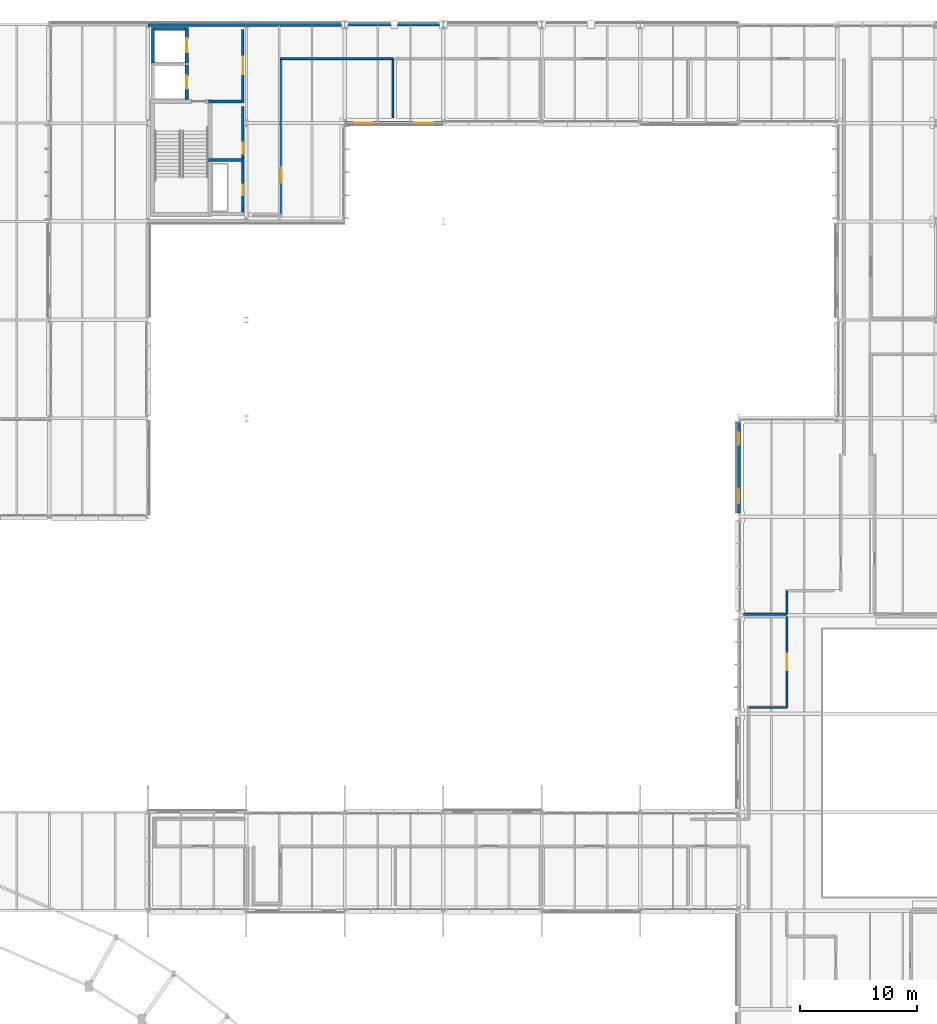
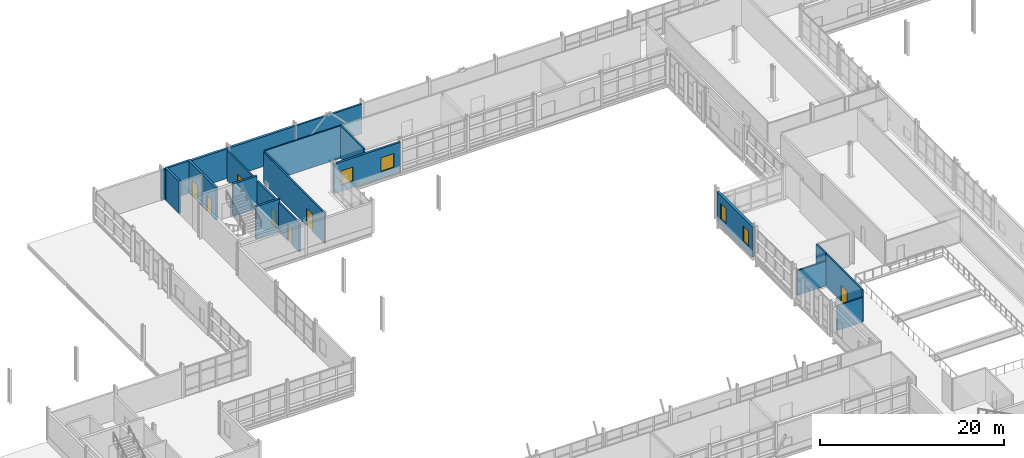
# One storey, part 98 of 129: 21 walls, 7 doors, 4 windows, 11 openings.
"""IFC4 building model written with IfcOpenShell, lengths in metres."""

from ifc_helpers import new_model, si_unit, direction, frame, frame_2d, origin, place, context, subcontext, project, spatial, rectangle, extrude, material, layer, layer_set, type_object, element, fill, save


model = new_model("IFC4")

# Units and contexts
model_context = context("Model", 3, precision=1e-05, world=origin(), true_north=direction((0.0, 1.0)))
body_context = subcontext(model_context, "Body", "Model", "MODEL_VIEW")
ifc_project = project(units=[si_unit("LENGTHUNIT", "METRE"), si_unit("AREAUNIT", "SQUARE_METRE"), si_unit("VOLUMEUNIT", "CUBIC_METRE"), si_unit("PLANEANGLEUNIT", "RADIAN"), si_unit("MASSUNIT", "GRAM", prefix="KILO")], contexts=[model_context])

# Site, building, storey
site_placement = place(None, origin())
site = spatial("IfcSite", under=ifc_project, at=site_placement, CompositionType="ELEMENT")
building_placement = place(site_placement, origin())
building = spatial("IfcBuilding", under=site, at=building_placement, Name="Mersafa Astral City Hall", CompositionType="ELEMENT")
storey_placement = place(building_placement, frame((0.0, 0.0, 5.39990234375)))
storey = spatial("IfcBuildingStorey", under=building, at=storey_placement, Name="L01", CompositionType="ELEMENT", Elevation=5.39990234375)

# Wall
ifc_material_1 = material(Name="Precast concrete C40/50 insulated terracotta spandrel", Category="masonry")
ifc_layer_1 = layer(ifc_material_1, 0.235107421875, Name="Precast concrete C40/50 insulated terracotta spandrel")
ifc_layer_set_1 = layer_set([ifc_layer_1], Name="Precast concrete C40/50 insulated terracotta spandrel — ENV-WAL-EXT-235")
wall_type_1 = type_object("IfcWallType", Name="ENV-WAL-EXT-235", PredefinedType="STANDARD", material=ifc_layer_set_1)
wall_1_placement = place(storey_placement, frame((67.19189453125, 126.0, 0.0), z_axis=(0.0, 0.0, 1.0), x_axis=(-1.0, 0.0, 0.0)))
element("IfcWall", 1, at=wall_1_placement, inside=storey, type_object=wall_type_1, Name="L01 Limestone-clad exterior wall 119", PredefinedType="STANDARD", context=body_context, shape_type="SweptSolid", body=[
    extrude(rectangle(XDim=8.3837890625, YDim=0.235107421875, at=frame_2d((4.19189453125, 0.0))), origin(), (0.0, 0.0, 1.0), 3.922119140625),
])

# Wall, openings, windows
ifc_material_2 = material(Name="Precast concrete C40/50 insulated limestone wall", Category="masonry")
ifc_layer_2 = layer(ifc_material_2, 0.264892578125, Name="Precast concrete C40/50 insulated limestone wall")
ifc_layer_set_2 = layer_set([ifc_layer_2], Name="Precast concrete C40/50 insulated limestone wall — ENV-WAL-EXT-265")
wall_type_2 = type_object("IfcWallType", Name="ENV-WAL-EXT-265", PredefinedType="STANDARD", material=ifc_layer_set_2)
wall_2_placement = place(storey_placement, frame((58.80810546875, 117.60009765625, 0.0), z_axis=(0.0, 0.0, 1.0), x_axis=(1.0, 0.0, 0.0)))
wall_2 = element("IfcWall", 2, at=wall_2_placement, inside=storey, type_object=wall_type_2, Name="L01 Limestone-clad exterior wall 135", PredefinedType="STANDARD", context=body_context, shape_type="SweptSolid", body=[
    extrude(rectangle(XDim=8.3837890625, YDim=0.264892578125, at=frame_2d((4.19189453125, 0.0))), origin(), (0.0, 0.0, 1.0), 3.9521484375),
])
opening_1_placement = place(wall_2_placement, frame((0.85009765625, 0.0, 0.89990234375)))
opening_1 = element("IfcOpeningElement", 3, at=opening_1_placement, cuts=wall_2, Name="Opening W-46", PredefinedType="OPENING", context=body_context, shape_type="SweptSolid", body=[
    extrude(rectangle(XDim=1.52001953125, YDim=1.85009765625, at=frame_2d((0.760009765625, 0.925048828125))), frame((0.0, 0.142333984375, 0.0), z_axis=(0.0, -1.0, 0.0), x_axis=(1.0, 0.0, 0.0)), (0.0, 0.0, 1.0), 0.284912109375),
])
opening_2_placement = place(wall_2_placement, frame((5.9140625, 0.0, 0.89990234375)))
opening_2 = element("IfcOpeningElement", 4, at=opening_2_placement, cuts=wall_2, Name="Opening W-47", PredefinedType="OPENING", context=body_context, shape_type="SweptSolid", body=[
    extrude(rectangle(XDim=1.6201171875, YDim=1.85009765625, at=frame_2d((0.81005859375, 0.925048828125))), frame((0.0, 0.142333984375, 0.0), z_axis=(0.0, -1.0, 0.0), x_axis=(1.0, 0.0, 0.0)), (0.0, 0.0, 1.0), 0.284912109375),
])
ifc_material_3 = material(Name="Solar control low-e double glazing in bronze frame", Category="glass")
window_type_1 = type_object("IfcWindowType", Name="ENV-WIN-W-46", PartitioningType="SINGLE_PANEL", PredefinedType="WINDOW", material=ifc_material_3)
window_1_placement = place(opening_1_placement, origin())
window_1 = element("IfcWindow", 5, at=window_1_placement, inside=storey, type_object=window_type_1, Name="L01 Solar punched window 135-L", OverallHeight=1.85009765625, OverallWidth=1.52001953125, PartitioningType="SINGLE_PANEL", PredefinedType="WINDOW", context=body_context, shape_type="SweptSolid", body=[
    extrude(rectangle(XDim=1.52001953125, YDim=1.85009765625, at=frame_2d((0.760009765625, 0.925048828125))), frame((0.0, 0.030029296875, 0.0), z_axis=(0.0, -1.0, 0.0), x_axis=(1.0, 0.0, 0.0)), (0.0, 0.0, 1.0), 0.06005859375),
])
fill(opening_1, window_1)
window_type_2 = type_object("IfcWindowType", Name="ENV-WIN-W-47", PartitioningType="SINGLE_PANEL", PredefinedType="WINDOW", material=ifc_material_3)
window_2_placement = place(opening_2_placement, origin())
window_2 = element("IfcWindow", 6, at=window_2_placement, inside=storey, type_object=window_type_2, Name="L01 Solar punched window 135-R", OverallHeight=1.85009765625, OverallWidth=1.6201171875, PartitioningType="SINGLE_PANEL", PredefinedType="WINDOW", context=body_context, shape_type="SweptSolid", body=[
    extrude(rectangle(XDim=1.6201171875, YDim=1.85009765625, at=frame_2d((0.81005859375, 0.925048828125))), frame((0.0, 0.030029296875, 0.0), z_axis=(0.0, -1.0, 0.0), x_axis=(1.0, 0.0, 0.0)), (0.0, 0.0, 1.0), 0.06005859375),
])
fill(opening_2, window_2)

# Walls
ifc_layer_3 = layer(ifc_material_2, 0.294921875, Name="Precast concrete C40/50 insulated limestone wall")
ifc_layer_set_3 = layer_set([ifc_layer_3], Name="Precast concrete C40/50 insulated limestone wall — ENV-WAL-EXT-295")
wall_type_3 = type_object("IfcWallType", Name="ENV-WAL-EXT-295", PredefinedType="STANDARD", material=ifc_layer_set_3)
wall_3_placement = place(storey_placement, frame((50.39208984375, 126.0, 0.0), z_axis=(0.0, 0.0, 1.0), x_axis=(-1.0, 0.0, 0.0)))
element("IfcWall", 7, at=wall_3_placement, inside=storey, type_object=wall_type_3, Name="L01 Limestone-clad exterior wall 121", PredefinedType="STANDARD", context=body_context, shape_type="SweptSolid", body=[
    extrude(rectangle(XDim=8.384033203125, YDim=0.294921875, at=frame_2d((4.19189453125, 0.0))), origin(), (0.0, 0.0, 1.0), 3.922119140625),
])
ifc_layer_4 = layer(ifc_material_2, 0.31005859375, Name="Precast concrete C40/50 insulated limestone wall")
ifc_layer_set_4 = layer_set([ifc_layer_4], Name="Precast concrete C40/50 insulated limestone wall — ENV-WAL-EXT-310")
wall_type_4 = type_object("IfcWallType", Name="ENV-WAL-EXT-310", PredefinedType="STANDARD", material=ifc_layer_set_4)
wall_4_placement = place(storey_placement, frame((58.7919921875, 126.0, 0.0), z_axis=(0.0, 0.0, 1.0), x_axis=(-1.0, 0.0, 0.0)))
element("IfcWall", 8, at=wall_4_placement, inside=storey, type_object=wall_type_4, Name="L01 Limestone-clad exterior wall 120", PredefinedType="STANDARD", context=body_context, shape_type="SweptSolid", body=[
    extrude(rectangle(XDim=8.384033203125, YDim=0.31005859375, at=frame_2d((4.19189453125, 0.0))), origin(), (0.0, 0.0, 1.0), 3.9521484375),
])

# Wall, openings, windows
wall_5_placement = place(storey_placement, frame((92.39990234375, 92.0791015625, 0.0), z_axis=(0.0, 0.0, 1.0), x_axis=(0.0, -1.0, 0.0)))
wall_5 = element("IfcWall", 9, at=wall_5_placement, inside=storey, type_object=wall_type_4, Name="L01 Limestone-clad exterior wall 138", PredefinedType="STANDARD", context=body_context, shape_type="SweptSolid", body=[
    extrude(rectangle(XDim=7.758056640625, YDim=0.31005859375, at=frame_2d((3.87890625, 0.0))), origin(), (0.0, 0.0, 1.0), 4.01220703125),
])
opening_3_placement = place(wall_5_placement, frame((0.85009765625, 0.0, 0.89990234375)))
opening_3 = element("IfcOpeningElement", 10, at=opening_3_placement, cuts=wall_5, Name="Opening W-52", PredefinedType="OPENING", context=body_context, shape_type="SweptSolid", body=[
    extrude(rectangle(XDim=1.1201171875, YDim=2.050048828125, at=frame_2d((0.56005859375, 1.02490234375))), frame((0.0, 0.1650390625, 0.0), z_axis=(0.0, -1.0, 0.0), x_axis=(1.0, 0.0, 0.0)), (0.0, 0.0, 1.0), 0.330078125),
])
opening_4_placement = place(wall_5_placement, frame((5.68798828125, 0.0, 0.89990234375)))
opening_4 = element("IfcOpeningElement", 11, at=opening_4_placement, cuts=wall_5, Name="Opening W-53", PredefinedType="OPENING", context=body_context, shape_type="SweptSolid", body=[
    extrude(rectangle(XDim=1.219970703125, YDim=2.050048828125, at=frame_2d((0.60986328125, 1.02490234375))), frame((0.0, 0.1650390625, 0.0), z_axis=(0.0, -1.0, 0.0), x_axis=(1.0, 0.0, 0.0)), (0.0, 0.0, 1.0), 0.330078125),
])
window_type_3 = type_object("IfcWindowType", Name="ENV-WIN-W-52", PartitioningType="SINGLE_PANEL", PredefinedType="WINDOW", material=ifc_material_3)
window_3_placement = place(opening_3_placement, origin())
window_3 = element("IfcWindow", 12, at=window_3_placement, inside=storey, type_object=window_type_3, Name="L01 Solar punched window 138-L", OverallHeight=2.050048828125, OverallWidth=1.1201171875, PartitioningType="SINGLE_PANEL", PredefinedType="WINDOW", context=body_context, shape_type="SweptSolid", body=[
    extrude(rectangle(XDim=1.1201171875, YDim=2.050048828125, at=frame_2d((0.56005859375, 1.02490234375))), frame((0.0, 0.030029296875, 0.0), z_axis=(0.0, -1.0, 0.0), x_axis=(1.0, 0.0, 0.0)), (0.0, 0.0, 1.0), 0.06005859375),
])
fill(opening_3, window_3)
window_type_4 = type_object("IfcWindowType", Name="ENV-WIN-W-53", PartitioningType="SINGLE_PANEL", PredefinedType="WINDOW", material=ifc_material_3)
window_4_placement = place(opening_4_placement, origin())
window_4 = element("IfcWindow", 13, at=window_4_placement, inside=storey, type_object=window_type_4, Name="L01 Solar punched window 138-R", OverallHeight=2.050048828125, OverallWidth=1.219970703125, PartitioningType="SINGLE_PANEL", PredefinedType="WINDOW", context=body_context, shape_type="SweptSolid", body=[
    extrude(rectangle(XDim=1.219970703125, YDim=2.050048828125, at=frame_2d((0.60986328125, 1.02490234375))), frame((0.0, 0.030029296875, 0.0), z_axis=(0.0, -1.0, 0.0), x_axis=(1.0, 0.0, 0.0)), (0.0, 0.0, 1.0), 0.06005859375),
])
fill(opening_4, window_4)

# Wall, opening, door
ifc_material_4 = material(Name="Concrete C40/50", Category="concrete")
ifc_layer_5 = layer(ifc_material_4, 0.260009765625, Name="Concrete C40/50")
ifc_layer_set_5 = layer_set([ifc_layer_5], Name="Concrete C40/50 — INT-WAL-CORE-260")
wall_type_5 = type_object("IfcWallType", Name="INT-WAL-CORE-260", PredefinedType="SHEAR", material=ifc_layer_set_5)
wall_6_placement = place(storey_placement, frame((45.31494140625, 119.596923828125, 0.0), z_axis=(0.0, 0.0, 1.0), x_axis=(0.0, 1.0, 0.0)))
wall_6 = element("IfcWall", 14, at=wall_6_placement, inside=storey, type_object=wall_type_5, Name="L01 Lift LF5 front shaft wall", PredefinedType="SHEAR", context=body_context, shape_type="SweptSolid", body=[
    extrude(rectangle(XDim=2.947998046875, YDim=0.260009765625, at=frame_2d((1.47412109375, 0.0))), origin(), (0.0, 0.0, 1.0), 4.2900390625),
])
opening_5_placement = place(wall_6_placement, frame((0.924072265625, 0.0, 0.0)))
opening_5 = element("IfcOpeningElement", 15, at=opening_5_placement, cuts=wall_6, Name="Opening LD-1", PredefinedType="OPENING", context=body_context, shape_type="SweptSolid", body=[
    extrude(rectangle(XDim=1.10009765625, YDim=2.14990234375, at=frame_2d((0.550048828125, 1.074951171875))), frame((0.0, 0.139892578125, 0.0), z_axis=(0.0, -1.0, 0.0), x_axis=(1.0, 0.0, 0.0)), (0.0, 0.0, 1.0), 0.280029296875),
])
ifc_material_5 = material(Name="Stainless steel sliding lift landing door", Category="steel")
door_type_1 = type_object("IfcDoorType", Name="INT-DR-LIFT-LD1", OperationType="NOTDEFINED", PredefinedType="DOOR", material=ifc_material_5)
door_1_placement = place(opening_5_placement, origin())
door_1 = element("IfcDoor", 16, at=door_1_placement, inside=storey, type_object=door_type_1, Name="Elevator LF5 Sliding Landing Door L01", OperationType="DOUBLE_DOOR_SLIDING", OverallHeight=2.14990234375, OverallWidth=1.10009765625, PredefinedType="DOOR", context=body_context, shape_type="SweptSolid", body=[
    extrude(rectangle(XDim=1.10009765625, YDim=2.14990234375, at=frame_2d((0.550048828125, 1.074951171875))), frame((0.0, 0.02490234375, 0.0), z_axis=(0.0, -1.0, 0.0), x_axis=(1.0, 0.0, 0.0)), (0.0, 0.0, 1.0), 0.050048828125),
])
fill(opening_5, door_1)

# Walls
wall_7_placement = place(storey_placement, frame((42.31494140625, 125.635009765625, 0.0), z_axis=(0.0, 0.0, 1.0), x_axis=(1.0, 0.0, 0.0)))
element("IfcWall", 17, at=wall_7_placement, inside=storey, type_object=wall_type_5, Name="L01 Lift LF9 north shaft wall", PredefinedType="SHEAR", context=body_context, shape_type="SweptSolid", body=[
    extrude(rectangle(XDim=3.130126953125, YDim=0.260009765625, at=frame_2d((1.56494140625, 0.0))), origin(), (0.0, 0.0, 1.0), 4.2900390625),
])
wall_8_placement = place(storey_placement, frame((42.445068359375, 122.705078125, 0.0), z_axis=(0.0, 0.0, 1.0), x_axis=(0.0, 1.0, 0.0)))
element("IfcWall", 18, at=wall_8_placement, inside=storey, type_object=wall_type_5, Name="L01 Lift LF9 back shaft wall", PredefinedType="SHEAR", context=body_context, shape_type="SweptSolid", body=[
    extrude(rectangle(XDim=3.059814453125, YDim=0.260009765625, at=frame_2d((1.52978515625, 0.0))), origin(), (0.0, 0.0, 1.0), 4.2900390625),
])

# Wall, opening, door
wall_9_placement = place(storey_placement, frame((45.31494140625, 122.705078125, 0.0), z_axis=(0.0, 0.0, 1.0), x_axis=(0.0, 1.0, 0.0)))
wall_9 = element("IfcWall", 19, at=wall_9_placement, inside=storey, type_object=wall_type_5, Name="L01 Lift LF9 front shaft wall", PredefinedType="SHEAR", context=body_context, shape_type="SweptSolid", body=[
    extrude(rectangle(XDim=3.059814453125, YDim=0.260009765625, at=frame_2d((1.52978515625, 0.0))), origin(), (0.0, 0.0, 1.0), 4.2900390625),
])
opening_6_placement = place(wall_9_placement, frame((0.929931640625, 0.0, 0.0)))
opening_6 = element("IfcOpeningElement", 20, at=opening_6_placement, cuts=wall_9, Name="Opening LD-2", PredefinedType="OPENING", context=body_context, shape_type="SweptSolid", body=[
    extrude(rectangle(XDim=1.199951171875, YDim=2.14990234375, at=frame_2d((0.60009765625, 1.074951171875))), frame((0.0, 0.139892578125, 0.0), z_axis=(0.0, -1.0, 0.0), x_axis=(1.0, 0.0, 0.0)), (0.0, 0.0, 1.0), 0.280029296875),
])
ifc_material_6 = material(Name="Heavy-duty sliding goods lift landing door", Category="metal")
door_type_2 = type_object("IfcDoorType", Name="INT-DR-LIFT-LD2", OperationType="NOTDEFINED", PredefinedType="DOOR", material=ifc_material_6)
door_2_placement = place(opening_6_placement, origin())
door_2 = element("IfcDoor", 21, at=door_2_placement, inside=storey, type_object=door_type_2, Name="Elevator LF9 Sliding Landing Door L01", OperationType="DOUBLE_DOOR_SLIDING", OverallHeight=2.14990234375, OverallWidth=1.199951171875, PredefinedType="DOOR", context=body_context, shape_type="SweptSolid", body=[
    extrude(rectangle(XDim=1.199951171875, YDim=2.14990234375, at=frame_2d((0.60009765625, 1.074951171875))), frame((0.0, 0.02490234375, 0.0), z_axis=(0.0, -1.0, 0.0), x_axis=(1.0, 0.0, 0.0)), (0.0, 0.0, 1.0), 0.050048828125),
])
fill(opening_6, door_2)

# Walls
for number, where, z_axis, x_axis, name in (
    (22, (47.1650390625, 114.43505859375, 0.0), (0.0, 0.0, 1.0), (1.0, 0.0, 0.0), "L01 Core K3 riser-restroom divider wall"),
    (23, (47.1650390625, 119.43505859375, 0.0), (0.0, 0.0, 1.0), (1.0, 0.0, 0.0), "L01 Core K3 restroom-lobby divider wall"),
):
    element("IfcWall", number, at=place(storey_placement, frame(where, z_axis=z_axis, x_axis=x_axis)), inside=storey, type_object=wall_type_5, Name=name, PredefinedType="SHEAR", context=body_context, shape_type="SweptSolid", body=[
        extrude(rectangle(XDim=3.034912109375, YDim=0.260009765625, at=frame_2d((1.517578125, 0.0))), origin(), (0.0, 0.0, 1.0), 4.2900390625),
    ])
ifc_material_7 = material(Name="Fire-rated gypsum stud partition", Category="gypsum")
ifc_layer_6 = layer(ifc_material_7, 0.1650390625, Name="Fire-rated gypsum stud partition")
ifc_layer_set_6 = layer_set([ifc_layer_6], Name="Fire-rated gypsum stud partition — INT-WAL-PART-EI60-165")
wall_type_6 = type_object("IfcWallType", Name="INT-WAL-PART-EI60-165", PredefinedType="STANDARD", material=ifc_layer_set_6)
wall_10_placement = place(storey_placement, frame((53.300048828125, 123.10009765625, -0.00390625), z_axis=(0.0, 0.0, 1.0), x_axis=(1.0, 0.0, 0.0)))
element("IfcWall", 24, at=wall_10_placement, inside=storey, type_object=wall_type_6, Name="L01 Interior partition wall 315", PredefinedType="STANDARD", context=body_context, shape_type="SweptSolid", body=[
    extrude(rectangle(XDim=9.60986328125, YDim=0.1650390625, at=frame_2d((4.804931640625, 0.0))), origin(), (0.0, 0.0, 1.0), 4.2939453125),
])
ifc_material_8 = material(Name="Acoustic twin-stud gypsum partition", Category="gypsum")
ifc_layer_7 = layer(ifc_material_8, 0.179931640625, Name="Acoustic twin-stud gypsum partition")
ifc_layer_set_7 = layer_set([ifc_layer_7], Name="Acoustic twin-stud gypsum partition — INT-WAL-PART-EI60-180")
wall_type_7 = type_object("IfcWallType", Name="INT-WAL-PART-EI60-180", PredefinedType="STANDARD", material=ifc_layer_set_7)
wall_11_placement = place(storey_placement, frame((96.52001953125, 75.68994140625, -0.00390625), z_axis=(0.0, 0.0, 1.0), x_axis=(-1.0, 0.0, 0.0)))
element("IfcWall", 25, at=wall_11_placement, inside=storey, type_object=wall_type_7, Name="L01 Interior partition wall 306", PredefinedType="STANDARD", context=body_context, shape_type="SweptSolid", body=[
    extrude(rectangle(XDim=3.699951171875, YDim=0.179931640625, at=frame_2d((1.85009765625, 0.0))), origin(), (0.0, 0.0, 1.0), 3.285888671875),
])

# Wall, opening, door
wall_12_placement = place(storey_placement, frame((53.300048828125, 109.820068359375, -0.00390625), z_axis=(0.0, 0.0, 1.0), x_axis=(0.0, 1.0, 0.0)))
wall_12 = element("IfcWall", 26, at=wall_12_placement, inside=storey, type_object=wall_type_7, Name="L01 Interior partition wall 314", PredefinedType="STANDARD", context=body_context, shape_type="SweptSolid", body=[
    extrude(rectangle(XDim=13.280029296875, YDim=0.179931640625, at=frame_2d((6.64013671875, 0.0))), origin(), (0.0, 0.0, 1.0), 4.0458984375),
])
opening_7_placement = place(wall_12_placement, frame((2.679931640625, 0.0, 0.0)))
opening_7 = element("IfcOpeningElement", 27, at=opening_7_placement, cuts=wall_12, Name="Opening D-33", PredefinedType="OPENING", context=body_context, shape_type="SweptSolid", body=[
    extrude(rectangle(XDim=1.280029296875, YDim=2.300048828125, at=frame_2d((0.64013671875, 1.14990234375))), frame((0.0, 0.099853515625, 0.0), z_axis=(0.0, -1.0, 0.0), x_axis=(1.0, 0.0, 0.0)), (0.0, 0.0, 1.0), 0.199951171875),
])
ifc_material_9 = material(Name="Cedar veneered acoustic fire-rated timber door", Category="wood")
door_type_3 = type_object("IfcDoorType", Name="INT-DR-RM-D-33", OperationType="NOTDEFINED", PredefinedType="DOOR", material=ifc_material_9)
door_3_placement = place(opening_7_placement, origin())
door_3 = element("IfcDoor", 28, at=door_3_placement, inside=storey, type_object=door_type_3, Name="L01 Legislative Drafting Office L01-08 Entrance Door", OperationType="SINGLE_SWING_LEFT", OverallHeight=2.300048828125, OverallWidth=1.280029296875, PredefinedType="DOOR", context=body_context, shape_type="SweptSolid", body=[
    extrude(rectangle(XDim=1.280029296875, YDim=2.300048828125, at=frame_2d((0.64013671875, 1.14990234375))), frame((0.0, 0.02490234375, 0.0), z_axis=(0.0, -1.0, 0.0), x_axis=(1.0, 0.0, 0.0)), (0.0, 0.0, 1.0), 0.050048828125),
])
fill(opening_7, door_3)

# Walls
wall_13_placement = place(storey_placement, frame((96.52001953125, 67.739990234375, -0.00390625), z_axis=(0.0, 0.0, 1.0), x_axis=(-1.0, 0.0, 0.0)))
element("IfcWall", 29, at=wall_13_placement, inside=storey, type_object=wall_type_7, Name="L01 Interior partition wall 374", PredefinedType="STANDARD", context=body_context, shape_type="SweptSolid", body=[
    extrude(rectangle(XDim=3.25, YDim=0.179931640625, at=frame_2d((1.625, 0.0))), origin(), (0.0, 0.0, 1.0), 3.285888671875),
])
ifc_layer_8 = layer(ifc_material_8, 0.195068359375, Name="Acoustic twin-stud gypsum partition")
ifc_layer_set_8 = layer_set([ifc_layer_8], Name="Acoustic twin-stud gypsum partition — INT-WAL-PART-EI60-195")
wall_type_8 = type_object("IfcWallType", Name="INT-WAL-PART-EI60-195", PredefinedType="STANDARD", material=ifc_layer_set_8)
wall_14_placement = place(storey_placement, frame((96.52001953125, 77.679931640625, -0.00390625), z_axis=(0.0, 0.0, 1.0), x_axis=(0.0, -1.0, 0.0)))
element("IfcWall", 30, at=wall_14_placement, inside=storey, type_object=wall_type_8, Name="L01 Interior partition wall 305", PredefinedType="STANDARD", context=body_context, shape_type="SweptSolid", body=[
    extrude(rectangle(XDim=1.989990234375, YDim=0.195068359375, at=frame_2d((0.9951171875, 0.0))), origin(), (0.0, 0.0, 1.0), 4.2939453125),
])

# Wall, opening, door
wall_15_placement = place(storey_placement, frame((96.52001953125, 75.510009765625, -0.00390625), z_axis=(0.0, 0.0, 1.0), x_axis=(0.0, -1.0, 0.0)))
wall_15 = element("IfcWall", 31, at=wall_15_placement, inside=storey, type_object=wall_type_8, Name="L01 Interior partition wall 373", PredefinedType="STANDARD", context=body_context, shape_type="SweptSolid", body=[
    extrude(rectangle(XDim=7.77001953125, YDim=0.195068359375, at=frame_2d((3.885009765625, 0.0))), origin(), (0.0, 0.0, 1.0), 4.2939453125),
])
opening_8_placement = place(wall_15_placement, frame((3.18505859375, 0.0, 0.0)))
opening_8 = element("IfcOpeningElement", 32, at=opening_8_placement, cuts=wall_15, Name="Opening D-16", PredefinedType="OPENING", context=body_context, shape_type="SweptSolid", body=[
    extrude(rectangle(XDim=1.39990234375, YDim=2.139892578125, at=frame_2d((0.699951171875, 1.06982421875))), frame((0.0, 0.107421875, 0.0), z_axis=(0.0, -1.0, 0.0), x_axis=(1.0, 0.0, 0.0)), (0.0, 0.0, 1.0), 0.215087890625),
])
door_type_4 = type_object("IfcDoorType", Name="INT-DR-RM-D-16", OperationType="NOTDEFINED", PredefinedType="DOOR", material=ifc_material_9)
door_4_placement = place(opening_8_placement, origin())
door_4 = element("IfcDoor", 33, at=door_4_placement, inside=storey, type_object=door_type_4, Name="L01 Public Petitions Hearing Room L01-27 Entrance Door", OperationType="SINGLE_SWING_RIGHT", OverallHeight=2.139892578125, OverallWidth=1.39990234375, PredefinedType="DOOR", context=body_context, shape_type="SweptSolid", body=[
    extrude(rectangle(XDim=1.39990234375, YDim=2.139892578125, at=frame_2d((0.699951171875, 1.06982421875))), frame((0.0, 0.02490234375, 0.0), z_axis=(0.0, -1.0, 0.0), x_axis=(1.0, 0.0, 0.0)), (0.0, 0.0, 1.0), 0.050048828125),
])
fill(opening_8, door_4)

ifc_material_10 = material(Name="Autoclaved aerated concrete blockwork plastered", Category="masonry")
ifc_layer_9 = layer(ifc_material_10, 0.2099609375, Name="Autoclaved aerated concrete blockwork plastered")
ifc_layer_set_9 = layer_set([ifc_layer_9], Name="Autoclaved aerated concrete blockwork plastered — INT-WAL-PART-EI60-210")
wall_type_9 = type_object("IfcWallType", Name="INT-WAL-PART-EI60-210", PredefinedType="STANDARD", material=ifc_layer_set_9)
wall_16_placement = place(storey_placement, frame((50.10009765625, 109.820068359375, 0.0), z_axis=(0.0, 0.0, 1.0), x_axis=(0.0, 1.0, 0.0)))
wall_16 = element("IfcWall", 34, at=wall_16_placement, inside=storey, type_object=wall_type_9, Name="L01 Core K3 riser corridor partition", PredefinedType="STANDARD", context=body_context, shape_type="SweptSolid", body=[
    extrude(rectangle(XDim=4.58984375, YDim=0.2099609375, at=frame_2d((2.294921875, 0.0))), origin(), (0.0, 0.0, 1.0), 3.882080078125),
])
opening_9_placement = place(wall_16_placement, frame((1.60009765625, 0.0, 0.0)))
opening_9 = element("IfcOpeningElement", 35, at=opening_9_placement, cuts=wall_16, Name="Opening CD-5", PredefinedType="OPENING", context=body_context, shape_type="SweptSolid", body=[
    extrude(rectangle(XDim=0.89990234375, YDim=2.10009765625, at=frame_2d((0.449951171875, 1.050048828125))), frame((0.0, 0.114990234375, 0.0), z_axis=(0.0, -1.0, 0.0), x_axis=(1.0, 0.0, 0.0)), (0.0, 0.0, 1.0), 0.22998046875),
])
ifc_material_11 = material(Name="Fire-rated steel riser access door", Category="steel")
door_type_5 = type_object("IfcDoorType", Name="INT-DR-RISER-FD60-900", OperationType="NOTDEFINED", PredefinedType="DOOR", material=ifc_material_11)
door_5_placement = place(opening_9_placement, origin())
door_5 = element("IfcDoor", 36, at=door_5_placement, inside=storey, type_object=door_type_5, Name="L01 K3 MEP Riser Access Door", OperationType="SINGLE_SWING_RIGHT", OverallHeight=2.10009765625, OverallWidth=0.89990234375, PredefinedType="DOOR", context=body_context, shape_type="SweptSolid", body=[
    extrude(rectangle(XDim=0.89990234375, YDim=2.10009765625, at=frame_2d((0.449951171875, 1.050048828125))), frame((0.0, 0.02490234375, 0.0), z_axis=(0.0, -1.0, 0.0), x_axis=(1.0, 0.0, 0.0)), (0.0, 0.0, 1.0), 0.050048828125),
])
fill(opening_9, door_5)

wall_17_placement = place(storey_placement, frame((50.10009765625, 114.52001953125, 0.0), z_axis=(0.0, 0.0, 1.0), x_axis=(0.0, 1.0, 0.0)))
wall_17 = element("IfcWall", 37, at=wall_17_placement, inside=storey, type_object=wall_type_9, Name="L01 Core K3 accessible WC corridor partition", PredefinedType="STANDARD", context=body_context, shape_type="SweptSolid", body=[
    extrude(rectangle(XDim=4.47998046875, YDim=0.2099609375, at=frame_2d((2.239990234375, 0.0))), origin(), (0.0, 0.0, 1.0), 3.882080078125),
])
opening_10_placement = place(wall_17_placement, frame((0.449951171875, 0.0, 0.0)))
opening_10 = element("IfcOpeningElement", 38, at=opening_10_placement, cuts=wall_17, Name="Opening CD-4", PredefinedType="OPENING", context=body_context, shape_type="SweptSolid", body=[
    extrude(rectangle(XDim=0.949951171875, YDim=2.14990234375, at=frame_2d((0.47509765625, 1.074951171875))), frame((0.0, 0.114990234375, 0.0), z_axis=(0.0, -1.0, 0.0), x_axis=(1.0, 0.0, 0.0)), (0.0, 0.0, 1.0), 0.22998046875),
])
ifc_material_12 = material(Name="Accessible timber acoustic WC door", Category="wood")
door_type_6 = type_object("IfcDoorType", Name="INT-DR-WC-FD30-950", OperationType="NOTDEFINED", PredefinedType="DOOR", material=ifc_material_12)
door_6_placement = place(opening_10_placement, origin())
door_6 = element("IfcDoor", 39, at=door_6_placement, inside=storey, type_object=door_type_6, Name="L01 K3 Accessible Restroom Door", OperationType="SINGLE_SWING_LEFT", OverallHeight=2.14990234375, OverallWidth=0.949951171875, PredefinedType="DOOR", context=body_context, shape_type="SweptSolid", body=[
    extrude(rectangle(XDim=0.949951171875, YDim=2.14990234375, at=frame_2d((0.47509765625, 1.074951171875))), frame((0.0, 0.02490234375, 0.0), z_axis=(0.0, -1.0, 0.0), x_axis=(1.0, 0.0, 0.0)), (0.0, 0.0, 1.0), 0.050048828125),
])
fill(opening_10, door_6)

wall_18_placement = place(storey_placement, frame((50.10009765625, 119.43994140625, 0.0), z_axis=(0.0, 0.0, 1.0), x_axis=(0.0, 1.0, 0.0)))
wall_18 = element("IfcWall", 40, at=wall_18_placement, inside=storey, type_object=wall_type_9, Name="L01 Core K3 lobby corridor partition", PredefinedType="STANDARD", context=body_context, shape_type="SweptSolid", body=[
    extrude(rectangle(XDim=6.1201171875, YDim=0.2099609375, at=frame_2d((3.06005859375, 0.0))), origin(), (0.0, 0.0, 1.0), 3.93212890625),
])
opening_11_placement = place(wall_18_placement, frame((2.31005859375, 0.0, 0.0)))
opening_11 = element("IfcOpeningElement", 41, at=opening_11_placement, cuts=wall_18, Name="Opening CD-3", PredefinedType="OPENING", context=body_context, shape_type="SweptSolid", body=[
    extrude(rectangle(XDim=1.5, YDim=2.199951171875, at=frame_2d((0.75, 1.10009765625))), frame((0.0, 0.114990234375, 0.0), z_axis=(0.0, -1.0, 0.0), x_axis=(1.0, 0.0, 0.0)), (0.0, 0.0, 1.0), 0.22998046875),
])
ifc_material_13 = material(Name="Fire-rated glazed lobby door pair", Category="metal")
door_type_7 = type_object("IfcDoorType", Name="INT-DR-LOBBY-FD90-1500", OperationType="NOTDEFINED", PredefinedType="DOOR", material=ifc_material_13)
door_7_placement = place(opening_11_placement, origin())
door_7 = element("IfcDoor", 42, at=door_7_placement, inside=storey, type_object=door_type_7, Name="L01 K3 Lift Lobby Fire Door", OperationType="DOUBLE_DOOR_SINGLE_SWING", OverallHeight=2.199951171875, OverallWidth=1.5, PredefinedType="DOOR", context=body_context, shape_type="SweptSolid", body=[
    extrude(rectangle(XDim=1.5, YDim=2.199951171875, at=frame_2d((0.75, 1.10009765625))), frame((0.0, 0.02490234375, 0.0), z_axis=(0.0, -1.0, 0.0), x_axis=(1.0, 0.0, 0.0)), (0.0, 0.0, 1.0), 0.050048828125),
])
fill(opening_11, door_7)

# Wall
wall_19_placement = place(storey_placement, frame((62.909912109375, 123.10009765625, -0.00390625), z_axis=(0.0, 0.0, 1.0), x_axis=(0.0, -1.0, 0.0)))
element("IfcWall", 43, at=wall_19_placement, inside=storey, type_object=wall_type_9, Name="L01 Interior partition wall 316", PredefinedType="STANDARD", context=body_context, shape_type="SweptSolid", body=[
    extrude(rectangle(XDim=5.080078125, YDim=0.2099609375, at=frame_2d((2.5400390625, 0.0))), origin(), (0.0, 0.0, 1.0), 4.2939453125),
])

save(model, "model.ifc")
